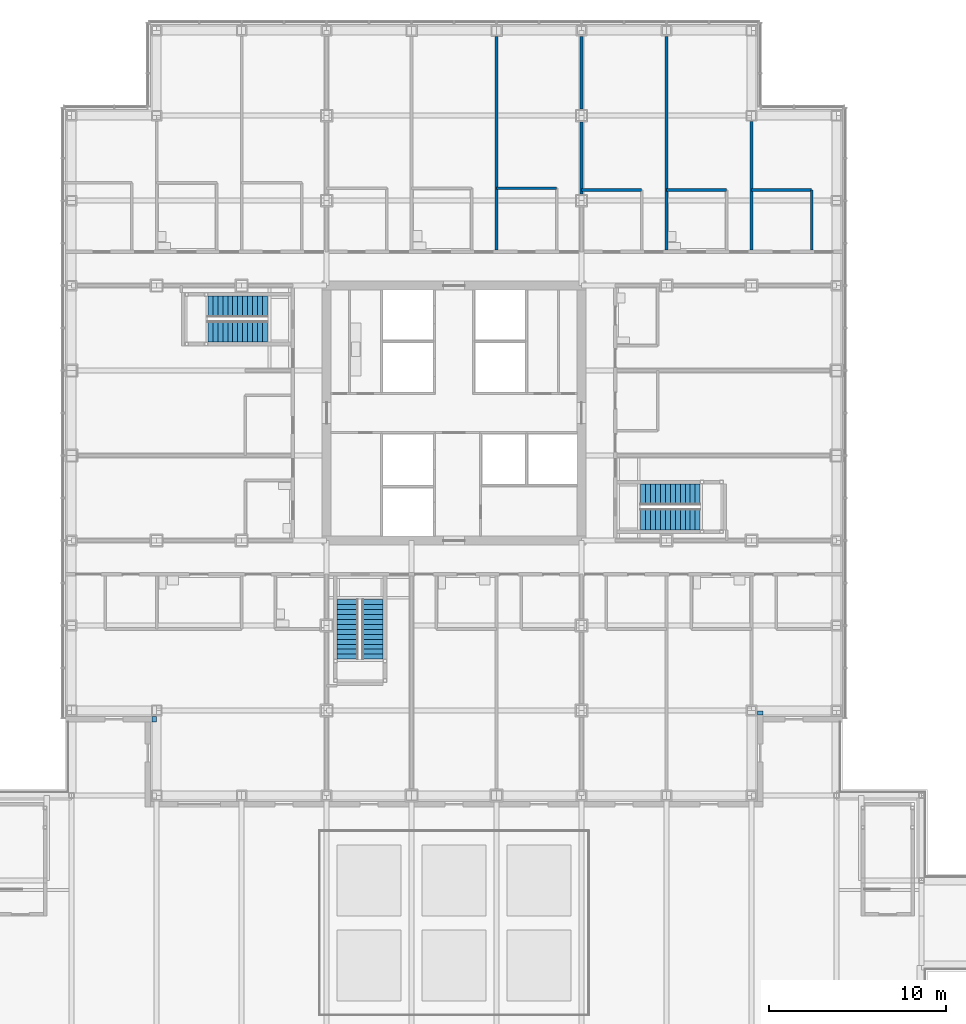
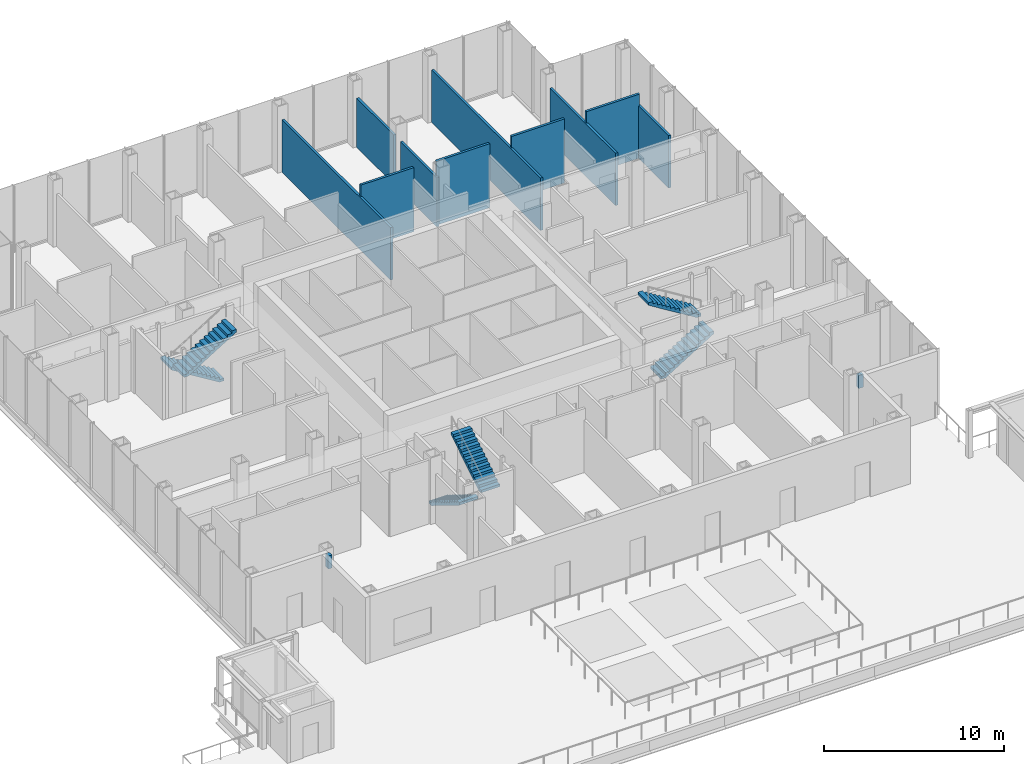
# One storey, part 20 of 24: 12 walls, 6 stair flights, 3 elements without a shape of their own.
"""IFC4 building model written with IfcOpenShell, lengths in metres."""

from ifc_helpers import new_model, si_unit, direction, frame, frame_2d, origin, place, context, subcontext, project, spatial, polyline, rectangle, outline, extrude, material, layer, layer_set, type_object, element, aggregate, save


model = new_model("IFC4")

# Units and contexts
model_context = context("Model", 3, precision=1e-05, world=origin(), true_north=direction((0.0, 1.0)))
body_context = subcontext(model_context, "Body", "Model", "MODEL_VIEW")
ifc_project = project(units=[si_unit("LENGTHUNIT", "METRE"), si_unit("AREAUNIT", "SQUARE_METRE"), si_unit("VOLUMEUNIT", "CUBIC_METRE"), si_unit("PLANEANGLEUNIT", "RADIAN"), si_unit("MASSUNIT", "GRAM", prefix="KILO")], contexts=[model_context])

# Site, building, storey
site_placement = place(None, origin())
site = spatial("IfcSite", under=ifc_project, at=site_placement, CompositionType="ELEMENT")
building_placement = place(site_placement, origin())
building = spatial("IfcBuilding", under=site, at=building_placement, Name="Kvirike Care Tower", CompositionType="ELEMENT")
storey_placement = place(building_placement, frame((0.0, 0.0, 22.5)))
storey = spatial("IfcBuildingStorey", under=building, at=storey_placement, Name="L05", CompositionType="ELEMENT", Elevation=22.5)

# Walls
ifc_material_1 = material(Name="Plasterboard partition", Category="gypsum")
ifc_layer_1 = layer(ifc_material_1, 0.14990234375)
ifc_layer_set_1 = layer_set([ifc_layer_1], Name="CLINIC PARTITION 150")
wall_type_1 = type_object("IfcWallType", Name="CLINIC PARTITION 150", PredefinedType="PARTITIONING", material=ifc_layer_set_1)
wall_1_placement = place(storey_placement, frame((27.39990234375, 48.699951171875, 0.0), z_axis=(0.0, 0.0, 1.0), x_axis=(-1.0, 0.0, 0.0)))
element("IfcWall", 1, at=wall_1_placement, inside=storey, type_object=wall_type_1, Name="Clinic Partition 150 L05", PredefinedType="PARTITIONING", context=body_context, shape_type="SweptSolid", body=[
    extrude(rectangle(XDim=3.39990234375, YDim=0.14990234375, at=frame_2d((1.699951171875, 0.0))), origin(), (0.0, 0.0, 1.0), 4.330078125),
])
wall_2_placement = place(storey_placement, frame((24.0, 57.2548828125, 0.0), z_axis=(0.0, 0.0, 1.0), x_axis=(0.0, -1.0, 0.0)))
element("IfcWall", 2, at=wall_2_placement, inside=storey, type_object=wall_type_1, Name="Clinic Partition 150 L05", PredefinedType="PARTITIONING", context=body_context, shape_type="SweptSolid", body=[
    extrude(rectangle(XDim=12.054931640625, YDim=0.14990234375, at=frame_2d((6.02734375, 0.0))), origin(), (0.0, 0.0, 1.0), 3.550048828125),
])
wall_3_placement = place(storey_placement, frame((41.800048828125, 48.60009765625, 0.0), z_axis=(0.0, 0.0, 1.0), x_axis=(0.0, -1.0, 0.0)))
element("IfcWall", 3, at=wall_3_placement, inside=storey, type_object=wall_type_1, Name="Clinic Partition 150 L05", PredefinedType="PARTITIONING", context=body_context, shape_type="SweptSolid", body=[
    extrude(rectangle(XDim=3.400146484375, YDim=0.14990234375, at=frame_2d((1.7001953125, 0.0))), origin(), (0.0, 0.0, 1.0), 3.550048828125),
])
wall_4_placement = place(storey_placement, frame((41.800048828125, 48.60009765625, 0.0), z_axis=(0.0, 0.0, 1.0), x_axis=(-1.0, 0.0, 0.0)))
element("IfcWall", 4, at=wall_4_placement, inside=storey, type_object=wall_type_1, Name="Clinic Partition 150 L05", PredefinedType="PARTITIONING", context=body_context, shape_type="SweptSolid", body=[
    extrude(rectangle(XDim=3.400146484375, YDim=0.14990234375, at=frame_2d((1.7001953125, 0.0))), origin(), (0.0, 0.0, 1.0), 4.330078125),
])
for number, where, z_axis, x_axis, name in (
    (5, (37.0, 48.60009765625, 0.0), (0.0, 0.0, 1.0), (-1.0, 0.0, 0.0), "Clinic Partition 150 L05"),
    (6, (32.199951171875, 48.60009765625, 0.0), (0.0, 0.0, 1.0), (-1.0, 0.0, 0.0), "Clinic Partition 150 L05"),
):
    element("IfcWall", number, at=place(storey_placement, frame(where, z_axis=z_axis, x_axis=x_axis)), inside=storey, type_object=wall_type_1, Name=name, PredefinedType="PARTITIONING", context=body_context, shape_type="SweptSolid", body=[
        extrude(rectangle(XDim=3.39990234375, YDim=0.14990234375, at=frame_2d((1.699951171875, 0.0))), origin(), (0.0, 0.0, 1.0), 4.330078125),
    ])
wall_5_placement = place(storey_placement, frame((38.39990234375, 52.47998046875, 0.0), z_axis=(0.0, 0.0, 1.0), x_axis=(0.0, -1.0, 0.0)))
element("IfcWall", 7, at=wall_5_placement, inside=storey, type_object=wall_type_1, Name="Clinic Partition 150 L05", PredefinedType="PARTITIONING", context=body_context, shape_type="SweptSolid", body=[
    extrude(rectangle(XDim=7.280029296875, YDim=0.14990234375, at=frame_2d((3.64013671875, 0.0))), origin(), (0.0, 0.0, 1.0), 3.550048828125),
])
wall_6_placement = place(storey_placement, frame((33.60009765625, 57.280029296875, 0.0), z_axis=(0.0, 0.0, 1.0), x_axis=(0.0, -1.0, 0.0)))
element("IfcWall", 8, at=wall_6_placement, inside=storey, type_object=wall_type_1, Name="Clinic Partition 150 L05", PredefinedType="PARTITIONING", context=body_context, shape_type="SweptSolid", body=[
    extrude(rectangle(XDim=12.080078125, YDim=0.14990234375, at=frame_2d((6.0400390625, 0.0))), origin(), (0.0, 0.0, 1.0), 3.550048828125),
])
wall_7_placement = place(storey_placement, frame((28.800048828125, 48.3701171875, 0.0), z_axis=(0.0, 0.0, 1.0), x_axis=(0.0, 1.0, 0.0)))
element("IfcWall", 9, at=wall_7_placement, inside=storey, type_object=wall_type_1, Name="Clinic Partition 150 L05", PredefinedType="PARTITIONING", context=body_context, shape_type="SweptSolid", body=[
    extrude(rectangle(XDim=4.059814453125, YDim=0.14990234375, at=frame_2d((2.02978515625, 0.0))), origin(), (0.0, 0.0, 1.0), 3.320068359375),
])
wall_8_placement = place(storey_placement, frame((28.800048828125, 53.169921875, 0.0), z_axis=(0.0, 0.0, 1.0), x_axis=(0.0, 1.0, 0.0)))
element("IfcWall", 10, at=wall_8_placement, inside=storey, type_object=wall_type_1, Name="Clinic Partition 150 L05", PredefinedType="PARTITIONING", context=body_context, shape_type="SweptSolid", body=[
    extrude(rectangle(XDim=4.110107421875, YDim=0.14990234375, at=frame_2d((2.05517578125, 0.0))), origin(), (0.0, 0.0, 1.0), 3.320068359375),
])
ifc_material_2 = material(Name="Bronze-clad insulated blockwork wall", Category="masonry")
ifc_layer_2 = layer(ifc_material_2, 0.300048828125)
ifc_layer_set_2 = layer_set([ifc_layer_2], Name="TERRACE WALL 300")
wall_type_2 = type_object("IfcWallType", Name="TERRACE WALL 300", PredefinedType="SOLIDWALL", material=ifc_layer_set_2)
wall_9_placement = place(storey_placement, frame((4.550048828125, 18.699951171875, 3.389892578125), z_axis=(0.0, 0.0, 1.0), x_axis=(1.0, 0.0, 0.0)))
element("IfcWall", 11, at=wall_9_placement, inside=storey, type_object=wall_type_2, Name="Terrace wall L05 face 2 return", PredefinedType="SOLIDWALL", context=body_context, shape_type="SweptSolid", body=[
    extrude(rectangle(XDim=0.23486328125, YDim=0.300048828125, at=frame_2d((0.117431640625, 0.0))), origin(), (0.0, 0.0, 1.0), 0.880126953125),
])
wall_10_placement = place(storey_placement, frame((38.89990234375, 18.949951171875, 3.389892578125), z_axis=(0.0, 0.0, 1.0), x_axis=(0.0, 1.0, 0.0)))
element("IfcWall", 12, at=wall_10_placement, inside=storey, type_object=wall_type_2, Name="Terrace wall L05 face 5 return", PredefinedType="SOLIDWALL", context=body_context, shape_type="SweptSolid", body=[
    extrude(rectangle(XDim=0.235107421875, YDim=0.300048828125, at=frame_2d((0.11767578125, 0.0))), origin(), (0.0, 0.0, 1.0), 0.880126953125),
])

# Stair, stair flights
ifc_material_3 = material(Name="Concrete C35/45", Category="concrete")
stair_type = type_object("IfcStairType", Name="STAIR 26 RISERS", PredefinedType="HALF_TURN_STAIR", material=ifc_material_3)
stair_1_placement = place(storey_placement, origin())
stair_1 = element("IfcStair", 13, at=stair_1_placement, inside=storey, type_object=stair_type, Name="Stair 1 L05", PredefinedType="HALF_TURN_STAIR")
ifc_material_4 = material(Name="Concrete C35/45", Category="concrete")
stair_flight_type = type_object("IfcStairFlightType", Name="FLIGHT 13 RISERS", PredefinedType="STRAIGHT", material=ifc_material_4)
stair_flight_1_placement = place(storey_placement, frame((11.06005859375, 42.0, 0.0), z_axis=(0.0, 0.0, 1.0), x_axis=(-1.0, 0.0, 0.0)))
stair_flight_1 = element("IfcStairFlight", 14, at=stair_flight_1_placement, type_object=stair_flight_type, Name="Stair S1 flight 1 L05-L06", NumberOfRisers=13, NumberOfTreads=12, PredefinedType="STRAIGHT", RiserHeight=0.173076923, TreadLength=0.28, context=body_context, shape_type="SweptSolid", body=[
    extrude(outline(polyline([(0.0, 0.0), (0.0, 0.173095703125), (0.280029296875, 0.173095703125), (0.280029296875, 0.34619140625), (0.56005859375, 0.34619140625), (0.56005859375, 0.519287109375), (0.840087890625, 0.519287109375), (0.840087890625, 0.6923828125), (1.1201171875, 0.6923828125), (1.1201171875, 0.865478515625), (1.39990234375, 0.865478515625), (1.39990234375, 1.03857421875), (1.679931640625, 1.03857421875), (1.679931640625, 1.21142578125), (1.9599609375, 1.21142578125), (1.9599609375, 1.384521484375), (2.239990234375, 1.384521484375), (2.239990234375, 1.5576171875), (2.52001953125, 1.5576171875), (2.52001953125, 1.730712890625), (2.800048828125, 1.730712890625), (2.800048828125, 1.90380859375), (3.080078125, 1.90380859375), (3.080078125, 2.076904296875), (3.360107421875, 2.076904296875), (3.360107421875, 2.25), (3.360107421875, 1.900634765625), (0.28515625, 0.0), (0.0, 0.0)])), frame((0.0, 0.60009765625, 0.0), z_axis=(0.0, -1.0, 0.0), x_axis=(1.0, 0.0, 0.0)), (0.0, 0.0, 1.0), 1.199951171875),
])
stair_flight_2_placement = place(storey_placement, frame((7.699951171875, 40.60009765625, 2.25), z_axis=(0.0, 0.0, 1.0), x_axis=(1.0, 0.0, 0.0)))
stair_flight_2 = element("IfcStairFlight", 15, at=stair_flight_2_placement, type_object=stair_flight_type, Name="Stair S1 flight 2 L05-L06", NumberOfRisers=13, NumberOfTreads=12, PredefinedType="STRAIGHT", RiserHeight=0.173076923, TreadLength=0.28, context=body_context, shape_type="SweptSolid", body=[
    extrude(outline(polyline([(0.0, 0.0), (0.0, 0.173095703125), (0.280029296875, 0.173095703125), (0.280029296875, 0.34619140625), (0.56005859375, 0.34619140625), (0.56005859375, 0.519287109375), (0.840087890625, 0.519287109375), (0.840087890625, 0.6923828125), (1.1201171875, 0.6923828125), (1.1201171875, 0.865478515625), (1.39990234375, 0.865478515625), (1.39990234375, 1.03857421875), (1.679931640625, 1.03857421875), (1.679931640625, 1.21142578125), (1.9599609375, 1.21142578125), (1.9599609375, 1.384521484375), (2.239990234375, 1.384521484375), (2.239990234375, 1.5576171875), (2.52001953125, 1.5576171875), (2.52001953125, 1.730712890625), (2.800048828125, 1.730712890625), (2.800048828125, 1.90380859375), (3.080078125, 1.90380859375), (3.080078125, 2.076904296875), (3.360107421875, 2.076904296875), (3.360107421875, 2.25), (3.360107421875, 1.900634765625), (0.28515625, 0.0), (0.0, 0.0)])), frame((0.0, 0.60009765625, 0.0), z_axis=(0.0, -1.0, 0.0), x_axis=(1.0, 0.0, 0.0)), (0.0, 0.0, 1.0), 1.199951171875),
])
aggregate(stair_1, [stair_flight_1, stair_flight_2])

stair_2_placement = place(storey_placement, origin())
stair_2 = element("IfcStair", 16, at=stair_2_placement, inside=storey, type_object=stair_type, Name="Stair 2 L05", PredefinedType="HALF_TURN_STAIR")
stair_flight_3_placement = place(storey_placement, frame((32.139892578125, 30.0, 0.0), z_axis=(0.0, 0.0, 1.0), x_axis=(1.0, 0.0, 0.0)))
stair_flight_3 = element("IfcStairFlight", 17, at=stair_flight_3_placement, type_object=stair_flight_type, Name="Stair S2 flight 1 L05-L06", NumberOfRisers=13, NumberOfTreads=12, PredefinedType="STRAIGHT", RiserHeight=0.173076923, TreadLength=0.28, context=body_context, shape_type="SweptSolid", body=[
    extrude(outline(polyline([(0.0, 0.0), (0.0, 0.173095703125), (0.280029296875, 0.173095703125), (0.280029296875, 0.34619140625), (0.56005859375, 0.34619140625), (0.56005859375, 0.519287109375), (0.840087890625, 0.519287109375), (0.840087890625, 0.6923828125), (1.1201171875, 0.6923828125), (1.1201171875, 0.865478515625), (1.39990234375, 0.865478515625), (1.39990234375, 1.03857421875), (1.679931640625, 1.03857421875), (1.679931640625, 1.21142578125), (1.9599609375, 1.21142578125), (1.9599609375, 1.384521484375), (2.239990234375, 1.384521484375), (2.239990234375, 1.5576171875), (2.52001953125, 1.5576171875), (2.52001953125, 1.730712890625), (2.800048828125, 1.730712890625), (2.800048828125, 1.90380859375), (3.080078125, 1.90380859375), (3.080078125, 2.076904296875), (3.360107421875, 2.076904296875), (3.360107421875, 2.25), (3.360107421875, 1.900634765625), (0.28515625, 0.0), (0.0, 0.0)])), frame((0.0, 0.60009765625, 0.0), z_axis=(0.0, -1.0, 0.0), x_axis=(1.0, 0.0, 0.0)), (0.0, 0.0, 1.0), 1.199951171875),
])
stair_flight_4_placement = place(storey_placement, frame((35.5, 31.39990234375, 2.25), z_axis=(0.0, 0.0, 1.0), x_axis=(-1.0, 0.0, 0.0)))
stair_flight_4 = element("IfcStairFlight", 18, at=stair_flight_4_placement, type_object=stair_flight_type, Name="Stair S2 flight 2 L05-L06", NumberOfRisers=13, NumberOfTreads=12, PredefinedType="STRAIGHT", RiserHeight=0.173076923, TreadLength=0.28, context=body_context, shape_type="SweptSolid", body=[
    extrude(outline(polyline([(0.0, 0.0), (0.0, 0.173095703125), (0.280029296875, 0.173095703125), (0.280029296875, 0.34619140625), (0.56005859375, 0.34619140625), (0.56005859375, 0.519287109375), (0.840087890625, 0.519287109375), (0.840087890625, 0.6923828125), (1.1201171875, 0.6923828125), (1.1201171875, 0.865478515625), (1.39990234375, 0.865478515625), (1.39990234375, 1.03857421875), (1.679931640625, 1.03857421875), (1.679931640625, 1.21142578125), (1.9599609375, 1.21142578125), (1.9599609375, 1.384521484375), (2.239990234375, 1.384521484375), (2.239990234375, 1.5576171875), (2.52001953125, 1.5576171875), (2.52001953125, 1.730712890625), (2.800048828125, 1.730712890625), (2.800048828125, 1.90380859375), (3.080078125, 1.90380859375), (3.080078125, 2.076904296875), (3.360107421875, 2.076904296875), (3.360107421875, 2.25), (3.360107421875, 1.900634765625), (0.28515625, 0.0), (0.0, 0.0)])), frame((0.0, 0.60009765625, 0.0), z_axis=(0.0, -1.0, 0.0), x_axis=(1.0, 0.0, 0.0)), (0.0, 0.0, 1.0), 1.199951171875),
])
aggregate(stair_2, [stair_flight_3, stair_flight_4])

stair_3_placement = place(storey_placement, origin())
stair_3 = element("IfcStair", 19, at=stair_3_placement, inside=storey, type_object=stair_type, Name="Stair 5 L05", PredefinedType="HALF_TURN_STAIR")
stair_flight_5_placement = place(storey_placement, frame((15.60009765625, 25.4599609375, 0.0), z_axis=(0.0, 0.0, 1.0), x_axis=(0.0, -1.0, 0.0)))
stair_flight_5 = element("IfcStairFlight", 20, at=stair_flight_5_placement, type_object=stair_flight_type, Name="Stair S5 flight 1 L05-L06", NumberOfRisers=13, NumberOfTreads=12, PredefinedType="STRAIGHT", RiserHeight=0.173076923, TreadLength=0.28, context=body_context, shape_type="SweptSolid", body=[
    extrude(outline(polyline([(0.0, 0.0), (0.0, 0.173095703125), (0.280029296875, 0.173095703125), (0.280029296875, 0.34619140625), (0.56005859375, 0.34619140625), (0.56005859375, 0.519287109375), (0.840087890625, 0.519287109375), (0.840087890625, 0.6923828125), (1.1201171875, 0.6923828125), (1.1201171875, 0.865478515625), (1.39990234375, 0.865478515625), (1.39990234375, 1.03857421875), (1.679931640625, 1.03857421875), (1.679931640625, 1.21142578125), (1.9599609375, 1.21142578125), (1.9599609375, 1.384521484375), (2.239990234375, 1.384521484375), (2.239990234375, 1.5576171875), (2.52001953125, 1.5576171875), (2.52001953125, 1.730712890625), (2.800048828125, 1.730712890625), (2.800048828125, 1.90380859375), (3.080078125, 1.90380859375), (3.080078125, 2.076904296875), (3.360107421875, 2.076904296875), (3.360107421875, 2.25), (3.360107421875, 1.900634765625), (0.28515625, 0.0), (0.0, 0.0)])), frame((0.0, 0.60009765625, 0.0), z_axis=(0.0, -1.0, 0.0), x_axis=(1.0, 0.0, 0.0)), (0.0, 0.0, 1.0), 1.199951171875),
])
stair_flight_6_placement = place(storey_placement, frame((17.0, 22.10009765625, 2.25), z_axis=(0.0, 0.0, 1.0), x_axis=(0.0, 1.0, 0.0)))
stair_flight_6 = element("IfcStairFlight", 21, at=stair_flight_6_placement, type_object=stair_flight_type, Name="Stair S5 flight 2 L05-L06", NumberOfRisers=13, NumberOfTreads=12, PredefinedType="STRAIGHT", RiserHeight=0.173076923, TreadLength=0.28, context=body_context, shape_type="SweptSolid", body=[
    extrude(outline(polyline([(0.0, 0.0), (0.0, 0.173095703125), (0.280029296875, 0.173095703125), (0.280029296875, 0.34619140625), (0.56005859375, 0.34619140625), (0.56005859375, 0.519287109375), (0.840087890625, 0.519287109375), (0.840087890625, 0.6923828125), (1.1201171875, 0.6923828125), (1.1201171875, 0.865478515625), (1.39990234375, 0.865478515625), (1.39990234375, 1.03857421875), (1.679931640625, 1.03857421875), (1.679931640625, 1.21142578125), (1.9599609375, 1.21142578125), (1.9599609375, 1.384521484375), (2.239990234375, 1.384521484375), (2.239990234375, 1.5576171875), (2.52001953125, 1.5576171875), (2.52001953125, 1.730712890625), (2.800048828125, 1.730712890625), (2.800048828125, 1.90380859375), (3.080078125, 1.90380859375), (3.080078125, 2.076904296875), (3.360107421875, 2.076904296875), (3.360107421875, 2.25), (3.360107421875, 1.900634765625), (0.28515625, 0.0), (0.0, 0.0)])), frame((0.0, 0.60009765625, 0.0), z_axis=(0.0, -1.0, 0.0), x_axis=(1.0, 0.0, 0.0)), (0.0, 0.0, 1.0), 1.199951171875),
])
aggregate(stair_3, [stair_flight_5, stair_flight_6])

save(model, "model.ifc")
